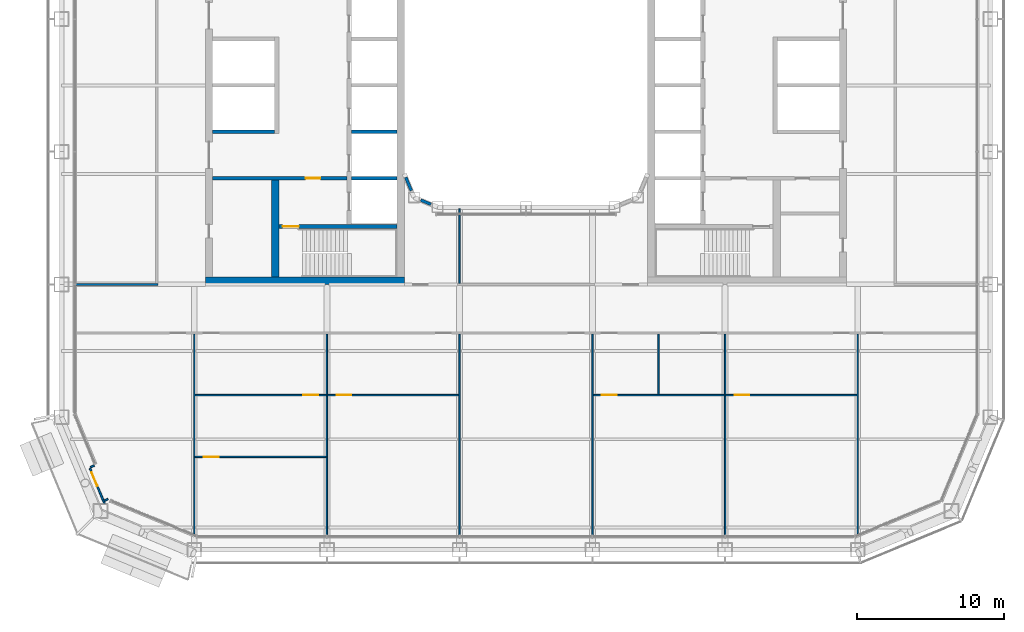
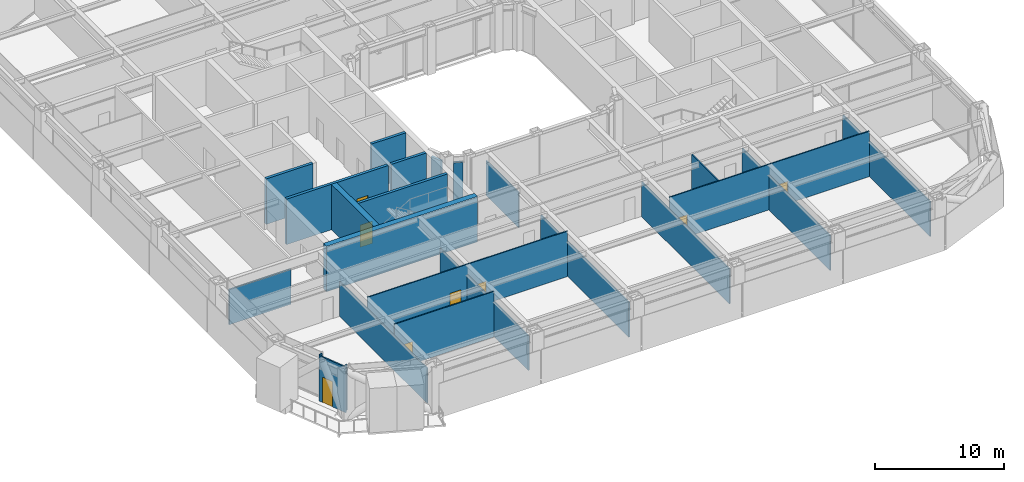
# One storey, part 13 of 27: 26 walls, 8 doors, 8 openings.
"""IFC4 building model written with IfcOpenShell, lengths in metres."""

import ifcopenshell
import ifcopenshell.guid

model = None  # the IFC model being written
_history = None  # IfcOwnerHistory: only IFC2X3 demands one
_inside = {}  # id of a spatial element -> (the spatial element, [elements in it])
_under = {}  # id of a project, library or spatial element -> (it, [spatial elements below it])
_declared = {}  # id of a project -> (the project, [libraries it declares])
_typed = {}  # id of a type object -> (the type object, [elements of that type])
_made_of = {}  # id of a material, layer set ... -> (it, [elements and type objects made of it])


def new_model(schema):
    """Start an empty IFC model of exactly this schema.

    Asked for "IFC4X3", IfcOpenShell would pick the latest addendum, in which some entities
    have other attributes; the version numbers below select the first issue.
    IFC2X3 requires an IfcOwnerHistory on every rooted entity: one is made here for all.
    """
    global model, _history
    if schema == "IFC4X3":
        model = ifcopenshell.file(schema_version=(4, 3, 0, 0))
    else:
        model = ifcopenshell.file(schema=schema)
    _inside.clear()
    _under.clear()
    _declared.clear()
    _typed.clear()
    _made_of.clear()
    _history = None
    if model.schema == "IFC2X3":
        org = make("IfcOrganization", Name="unknown")
        user = make(
            "IfcPersonAndOrganization",
            ThePerson=make("IfcPerson", FamilyName="unknown"),
            TheOrganization=org,
        )
        app = make(
            "IfcApplication",
            ApplicationDeveloper=org,
            Version="unknown",
            ApplicationFullName="unknown",
            ApplicationIdentifier="unknown",
        )
        _history = make(
            "IfcOwnerHistory",
            OwningUser=user,
            OwningApplication=app,
            ChangeAction="ADDED",
            CreationDate=0,
        )
    return model


def make(cls, **values):
    """One entity of the class cls with the attributes given. An attribute that is None is left unset."""
    return model.create_entity(
        cls, **{name: value for name, value in values.items() if value is not None}
    )


def rooted(cls, **values):
    """An entity with a GlobalId (a new one), such as an element, a storey or a relation."""
    return make(cls, GlobalId=ifcopenshell.guid.new(), OwnerHistory=_history, **values)


def si_unit(unit_type, name, prefix=None):
    """IfcSIUnit, for example si_unit("LENGTHUNIT", "METRE", prefix="MILLI")."""
    return make("IfcSIUnit", UnitType=unit_type, Prefix=prefix, Name=name)


def assignment(units):
    """IfcUnitAssignment: the units of a project."""
    return None if units is None else make("IfcUnitAssignment", Units=units)


def point(xyz):
    """IfcCartesianPoint."""
    return None if xyz is None else make("IfcCartesianPoint", Coordinates=xyz)


def direction(xyz):
    """IfcDirection."""
    return None if xyz is None else make("IfcDirection", DirectionRatios=xyz)


def frame(location, z_axis=None, x_axis=None):
    """IfcAxis2Placement3D, a coordinate frame: its origin and axes. An axis left out is left unset."""
    return make(
        "IfcAxis2Placement3D",
        Location=point(location),
        Axis=direction(z_axis),
        RefDirection=direction(x_axis),
    )


def frame_2d(location, x_axis=None):
    """IfcAxis2Placement2D, a coordinate frame in the plane: its origin and x axis."""
    return make(
        "IfcAxis2Placement2D", Location=point(location), RefDirection=direction(x_axis)
    )


def origin():
    """The frame at (0, 0, 0) with its axes left unset."""
    return frame((0.0, 0.0, 0.0))


def place(relative_to, where):
    """IfcLocalPlacement: puts the frame where relative to a parent placement (None: the world)."""
    return make(
        "IfcLocalPlacement", PlacementRelTo=relative_to, RelativePlacement=where
    )


def context(
    kind, dimensions, precision=None, world=None, true_north=None, identifier=None
):
    """IfcGeometricRepresentationContext, for example the 3D "Model" context."""
    return make(
        "IfcGeometricRepresentationContext",
        ContextIdentifier=identifier,
        ContextType=kind,
        CoordinateSpaceDimension=dimensions,
        Precision=precision,
        WorldCoordinateSystem=world,
        TrueNorth=true_north,
    )


def subcontext(parent, identifier, kind, view, scale=None):
    """IfcGeometricRepresentationSubContext, for example "Body" below "Model"."""
    return make(
        "IfcGeometricRepresentationSubContext",
        ContextIdentifier=identifier,
        ContextType=kind,
        ParentContext=parent,
        TargetScale=scale,
        TargetView=view,
    )


def project(units=None, contexts=None):
    """IfcProject with its units and contexts."""
    return rooted(
        "IfcProject",
        Name="project",
        RepresentationContexts=contexts,
        UnitsInContext=assignment(units),
    )


def spatial(cls, under=None, at=None, **own):
    """A site, building, storey or space (cls), placed at a placement, below another one or the project."""
    s = rooted(cls, ObjectPlacement=at, **own)
    if under is not None:
        _under.setdefault(under.id(), (under, []))[1].append(s)
    return s


def profile(cls, at=None, kind="AREA", **sizes):
    """A parametric profile (cls). Its sizes go by their IFC names, for example OverallWidth=200.0."""
    return make(cls, ProfileType=kind, Position=at, **sizes)


def rectangle(**sizes):
    """IfcRectangleProfileDef."""
    return profile("IfcRectangleProfileDef", **sizes)


def extrude(swept, where, along, depth):
    """IfcExtrudedAreaSolid: the profile swept, set in the frame where, extruded along a direction by depth."""
    return make(
        "IfcExtrudedAreaSolid",
        SweptArea=swept,
        Position=where,
        ExtrudedDirection=direction(along),
        Depth=depth,
    )


def shape(context_of_items, identifier, shape_type, items):
    """IfcShapeRepresentation: the items that make up one representation, for example the "Body"."""
    return make(
        "IfcShapeRepresentation",
        ContextOfItems=context_of_items,
        RepresentationIdentifier=identifier,
        RepresentationType=shape_type,
        Items=items,
    )


def material(Name=None, Category=None):
    """IfcMaterial."""
    return make("IfcMaterial", Name=Name, Category=Category)


def layer(
    of_material, thickness, ventilated=None, Name=None, Category=None, Priority=None
):
    """IfcMaterialLayer: one layer of a wall or slab, of a material (None: an air gap)."""
    return make(
        "IfcMaterialLayer",
        Material=of_material,
        LayerThickness=thickness,
        IsVentilated=ventilated,
        Name=Name,
        Category=Category,
        Priority=Priority,
    )


def layer_set(layers, Name=None):
    """IfcMaterialLayerSet."""
    return make("IfcMaterialLayerSet", MaterialLayers=layers, LayerSetName=Name)


def made_of(thing, what):
    """Note that an element or type object is made of a material, layer set ...; save() writes the relation."""
    if what is not None:
        _made_of.setdefault(what.id(), (what, []))[1].append(thing)
    return thing


def type_object(cls, material=None, **own):
    """A type object (cls), such as IfcWallType, which elements share."""
    return made_of(rooted(cls, **own), material)


def element(
    cls,
    number,
    at=None,
    inside=None,
    cuts=None,
    type_object=None,
    material=None,
    context=None,
    identifier="Body",
    shape_type=None,
    held_by="IfcProductDefinitionShape",
    body=None,
    shapes=None,
    **own,
):
    """One element of the class cls, such as IfcWall. Its Tag is "e" and its number.

    at: its placement. inside: the storey or other place that contains it. cuts: it is an
    opening in that element (IfcRelVoidsElement). A single representation is given by context,
    identifier, shape_type and body (its items); several are given by shapes. held_by: the class
    of the entity that holds the representations. save() writes the other relations.
    """
    e = rooted(cls, Tag="e%d" % number, ObjectPlacement=at, **own)
    if body is not None:
        shapes = [shape(context, identifier, shape_type, body)]
    if shapes is not None:
        e.Representation = make(held_by, Representations=shapes)
    if inside is not None:
        _inside.setdefault(inside.id(), (inside, []))[1].append(e)
    if cuts is not None:
        rooted(
            "IfcRelVoidsElement", RelatingBuildingElement=cuts, RelatedOpeningElement=e
        )
    if type_object is not None:
        _typed.setdefault(type_object.id(), (type_object, []))[1].append(e)
    return made_of(e, material)


def fill(opening, filler):
    """IfcRelFillsElement: the door or window that sits in an opening."""
    return rooted(
        "IfcRelFillsElement",
        RelatingOpeningElement=opening,
        RelatedBuildingElement=filler,
    )


def aggregate(whole, parts):
    """IfcRelAggregates: a whole, such as a stair, and the parts it consists of."""
    return rooted("IfcRelAggregates", RelatingObject=whole, RelatedObjects=parts)


def save(model, path):
    """Write the relations noted so far, then the file.

    IfcRelAggregates (storeys below a building ...), IfcRelContainedInSpatialStructure (elements
    in a storey), IfcRelDefinesByType, IfcRelAssociatesMaterial and IfcRelDeclares: one each for
    every whole, place, type object, material and project.
    """
    for whole, parts in _under.values():
        aggregate(whole, parts)
    for where, things in _inside.values():
        rooted(
            "IfcRelContainedInSpatialStructure",
            RelatedElements=things,
            RelatingStructure=where,
        )
    for kind, things in _typed.values():
        rooted("IfcRelDefinesByType", RelatedObjects=things, RelatingType=kind)
    for what, things in _made_of.values():
        rooted("IfcRelAssociatesMaterial", RelatedObjects=things, RelatingMaterial=what)
    for by, libraries in _declared.values():
        rooted("IfcRelDeclares", RelatingContext=by, RelatedDefinitions=libraries)
    model.write(path)


model = new_model("IFC4")

# Units and contexts
model_context = context("Model", 3, precision=1e-05, world=origin(), true_north=direction((0.0, 1.0)))
body_context = subcontext(model_context, "Body", "Model", "MODEL_VIEW")
ifc_project = project(units=[si_unit("LENGTHUNIT", "METRE"), si_unit("AREAUNIT", "SQUARE_METRE"), si_unit("VOLUMEUNIT", "CUBIC_METRE"), si_unit("PLANEANGLEUNIT", "RADIAN"), si_unit("MASSUNIT", "GRAM", prefix="KILO")], contexts=[model_context])

# Site, building, storey
site_placement = place(None, origin())
site = spatial("IfcSite", under=ifc_project, at=site_placement, CompositionType="ELEMENT")
building_placement = place(site_placement, origin())
building = spatial("IfcBuilding", under=site, at=building_placement, Name="Siwar Civic Tower", CompositionType="ELEMENT")
storey_placement = place(building_placement, frame((0.0, 0.0, 89.699951171875)))
storey = spatial("IfcBuildingStorey", under=building, at=storey_placement, Name="L19", CompositionType="ELEMENT", Elevation=89.699951171875)

# Wall, opening, door
ifc_material_1 = material(Name="Concrete C60/75", Category="concrete")
ifc_layer_1 = layer(ifc_material_1, 0.25)
ifc_layer_set_1 = layer_set([ifc_layer_1], Name="Concrete C60/75")
wall_type_1 = type_object("IfcWallType", Name="CORE-WALL-RC250", PredefinedType="SHEAR", material=ifc_layer_set_1)
wall_1_placement = place(storey_placement, frame((-12.14990234375, -6.300048828125, 0.0), z_axis=(0.0, 0.0, 1.0), x_axis=(-1.0, 0.0, 0.0)))
wall_1 = element("IfcWall", 1, at=wall_1_placement, inside=storey, type_object=wall_type_1, Name="Core wall W", PredefinedType="SHEAR", context=body_context, shape_type="SweptSolid", body=[
    extrude(rectangle(XDim=9.10009765625, YDim=0.25, at=frame_2d((4.550048828125, 0.0))), origin(), (0.0, 0.0, 1.0), 4.300048828125),
])
opening_1_placement = place(wall_1_placement, frame((1.800048828125, 0.0, 0.0)))
opening_1 = element("IfcOpeningElement", 2, at=opening_1_placement, cuts=wall_1, Name="Opening L19-CW02", PredefinedType="OPENING", context=body_context, shape_type="SweptSolid", body=[
    extrude(rectangle(XDim=1.0, YDim=2.10009765625, at=frame_2d((0.5, 1.050048828125))), frame((0.0, 0.135009765625, 0.0), z_axis=(0.0, -1.0, 0.0), x_axis=(1.0, 0.0, 0.0)), (0.0, 0.0, 1.0), 0.27001953125),
])
ifc_material_2 = material(Name="Steel door leaf", Category="steel")
door_type_1 = type_object("IfcDoorType", Name="CORE-DOOR-FD30S", OperationType="SINGLE_SWING_LEFT", PredefinedType="DOOR", material=ifc_material_2)
door_1_placement = place(opening_1_placement, origin())
door_1 = element("IfcDoor", 3, at=door_1_placement, inside=storey, type_object=door_type_1, Name="Service lobby door L19-CW02", OperationType="SINGLE_SWING_RIGHT", OverallHeight=2.10009765625, OverallWidth=1.0, PredefinedType="DOOR", context=body_context, shape_type="SweptSolid", body=[
    extrude(rectangle(XDim=1.0, YDim=2.10009765625, at=frame_2d((0.5, 1.050048828125))), frame((0.0, 0.02490234375, 0.0), z_axis=(0.0, -1.0, 0.0), x_axis=(1.0, 0.0, 0.0)), (0.0, 0.0, 1.0), 0.050048828125),
])
fill(opening_1, door_1)

# Walls
wall_2_placement = place(storey_placement, frame((-17.050048828125, -3.14990234375, 0.0), z_axis=(0.0, 0.0, 1.0), x_axis=(-1.0, 0.0, 0.0)))
element("IfcWall", 4, at=wall_2_placement, inside=storey, type_object=wall_type_1, Name="Core wall W", PredefinedType="SHEAR", context=body_context, shape_type="SweptSolid", body=[
    extrude(rectangle(XDim=4.199951171875, YDim=0.25, at=frame_2d((2.10009765625, 0.0))), origin(), (0.0, 0.0, 1.0), 4.300048828125),
])
for number, where, z_axis, x_axis, name in (
    (5, (-8.75, -3.14990234375, 0.0), (0.0, 0.0, 1.0), (-1.0, 0.0, 0.0), "Core wall W"),
    (6, (-8.75, -6.300048828125, 0.0), (0.0, 0.0, 1.0), (-1.0, 0.0, 0.0), "Core wall W"),
):
    element("IfcWall", number, at=place(storey_placement, frame(where, z_axis=z_axis, x_axis=x_axis)), inside=storey, type_object=wall_type_1, Name=name, PredefinedType="SHEAR", context=body_context, shape_type="SweptSolid", body=[
        extrude(rectangle(XDim=3.10009765625, YDim=0.25, at=frame_2d((1.550048828125, 0.0))), origin(), (0.0, 0.0, 1.0), 4.300048828125),
    ])

# Wall, opening, door
wall_3_placement = place(storey_placement, frame((-8.75, -9.574951171875, 0.0), z_axis=(0.0, 0.0, 1.0), x_axis=(-1.0, 0.0, 0.0)))
wall_3 = element("IfcWall", 7, at=wall_3_placement, inside=storey, type_object=wall_type_1, Name="Core wall W", PredefinedType="SHEAR", context=body_context, shape_type="SweptSolid", body=[
    extrude(rectangle(XDim=8.0, YDim=0.25, at=frame_2d((4.0, 0.0))), origin(), (0.0, 0.0, 1.0), 4.300048828125),
])
opening_2_placement = place(wall_3_placement, frame((6.64990234375, 0.0, 0.0)))
opening_2 = element("IfcOpeningElement", 8, at=opening_2_placement, cuts=wall_3, Name="Opening L19-CW04", PredefinedType="OPENING", context=body_context, shape_type="SweptSolid", body=[
    extrude(rectangle(XDim=1.10009765625, YDim=2.10009765625, at=frame_2d((0.550048828125, 1.050048828125))), frame((0.0, 0.135009765625, 0.0), z_axis=(0.0, -1.0, 0.0), x_axis=(1.0, 0.0, 0.0)), (0.0, 0.0, 1.0), 0.27001953125),
])
ifc_material_3 = material(Name="Steel door leaf", Category="steel")
door_type_2 = type_object("IfcDoorType", Name="CORE-DOOR-FD60S", OperationType="SINGLE_SWING_LEFT", PredefinedType="DOOR", material=ifc_material_3)
door_2_placement = place(opening_2_placement, origin())
door_2 = element("IfcDoor", 9, at=door_2_placement, inside=storey, type_object=door_type_2, Name="Stair door L19-CW04", OperationType="SINGLE_SWING_LEFT", OverallHeight=2.10009765625, OverallWidth=1.10009765625, PredefinedType="DOOR", context=body_context, shape_type="SweptSolid", body=[
    extrude(rectangle(XDim=1.10009765625, YDim=2.10009765625, at=frame_2d((0.550048828125, 1.050048828125))), frame((0.0, 0.02490234375, 0.0), z_axis=(0.0, -1.0, 0.0), x_axis=(1.0, 0.0, 0.0)), (0.0, 0.0, 1.0), 0.050048828125),
])
fill(opening_2, door_2)

# Walls
ifc_material_4 = material(Name="Concrete C60/75", Category="concrete")
ifc_layer_2 = layer(ifc_material_4, 0.5)
ifc_layer_set_2 = layer_set([ifc_layer_2], Name="Concrete C60/75")
wall_type_2 = type_object("IfcWallType", Name="CORE-WALL-RC500", PredefinedType="SHEAR", material=ifc_layer_set_2)
wall_4_placement = place(storey_placement, frame((-17.0, -13.0, 0.0), z_axis=(0.0, 0.0, 1.0), x_axis=(0.0, 1.0, 0.0)))
element("IfcWall", 10, at=wall_4_placement, inside=storey, type_object=wall_type_2, Name="Core wall W", PredefinedType="SHEAR", context=body_context, shape_type="SweptSolid", body=[
    extrude(rectangle(XDim=6.574951171875, YDim=0.5, at=frame_2d((3.28759765625, 0.0))), origin(), (0.0, 0.0, 1.0), 4.300048828125),
])
wall_5_placement = place(storey_placement, frame((-8.25, -13.25, 0.0), z_axis=(0.0, 0.0, 1.0), x_axis=(-1.0, 0.0, 0.0)))
element("IfcWall", 11, at=wall_5_placement, inside=storey, type_object=wall_type_2, Name="Core wall W", PredefinedType="SHEAR", context=body_context, shape_type="SweptSolid", body=[
    extrude(rectangle(XDim=13.5, YDim=0.5, at=frame_2d((6.75, 0.0))), origin(), (0.0, 0.0, 1.0), 4.300048828125),
])
ifc_material_5 = material(Name="Gypsum board on steel studs", Category="steel")
ifc_layer_3 = layer(ifc_material_5, 0.14990234375)
ifc_layer_set_3 = layer_set([ifc_layer_3], Name="Gypsum board on steel studs")
wall_type_3 = type_object("IfcWallType", Name="CORRIDOR PARTITION 150 EI 30", PredefinedType="PARTITIONING", material=ifc_layer_set_3)
wall_6_placement = place(storey_placement, frame((-30.510009765625, -13.5, 0.0), z_axis=(0.0, 0.0, 1.0), x_axis=(1.0, 0.0, 0.0)))
element("IfcWall", 12, at=wall_6_placement, inside=storey, type_object=wall_type_3, Name="L19/wall/P05", PredefinedType="PARTITIONING", context=body_context, shape_type="SweptSolid", body=[
    extrude(rectangle(XDim=5.534912109375, YDim=0.14990234375, at=frame_2d((2.767578125, 0.0))), origin(), (0.0, 0.0, 1.0), 3.300048828125),
])
ifc_material_6 = material(Name="Aluminium clad insulated panel", Category="aluminium")
ifc_layer_4 = layer(ifc_material_6, 0.1201171875)
ifc_layer_set_4 = layer_set([ifc_layer_4], Name="Aluminium clad insulated panel")
wall_type_4 = type_object("IfcWallType", Name="ENV-WALL-BAL", PredefinedType="STANDARD", material=ifc_layer_set_4)
wall_7_placement = place(storey_placement, frame((-29.284912109375, -25.783447265625, 0.0), z_axis=(0.0, 0.0, 1.0), x_axis=(-0.923772220778, -0.382942403136, 0.0)))
element("IfcWall", 13, at=wall_7_placement, inside=storey, type_object=wall_type_4, Name="Balcony door wall return SW1", PredefinedType="STANDARD", context=body_context, shape_type="SweptSolid", body=[
    extrude(rectangle(XDim=0.27978515625, YDim=0.1201171875, at=frame_2d((0.139892578125, 0.0))), origin(), (0.0, 0.0, 1.0), 4.300048828125),
])
wall_8_placement = place(storey_placement, frame((-28.3427734375, -28.057861328125, 0.0), z_axis=(0.0, 0.0, 1.0), x_axis=(-0.923899985553, -0.382634050621, 0.0)))
element("IfcWall", 14, at=wall_8_placement, inside=storey, type_object=wall_type_4, Name="Balcony door wall return SW1", PredefinedType="STANDARD", context=body_context, shape_type="SweptSolid", body=[
    extrude(rectangle(XDim=0.280029296875, YDim=0.1201171875, at=frame_2d((0.14013671875, 0.0))), origin(), (0.0, 0.0, 1.0), 4.300048828125),
])

# Wall, opening, door
wall_9_placement = place(storey_placement, frame((-29.575927734375, -25.968994140625, 0.0), z_axis=(0.0, 0.0, 1.0), x_axis=(0.382648460137, -0.923894017707, 0.0)))
wall_9 = element("IfcWall", 15, at=wall_9_placement, inside=storey, type_object=wall_type_4, Name="Balcony door wall SW1", PredefinedType="STANDARD", context=body_context, shape_type="SweptSolid", body=[
    extrude(rectangle(XDim=2.59228515625, YDim=0.1201171875, at=frame_2d((1.296142578125, 0.0))), origin(), (0.0, 0.0, 1.0), 4.300048828125),
])
opening_3_placement = place(wall_9_placement, frame((0.300048828125, 0.0, 0.0)))
opening_3 = element("IfcOpeningElement", 16, at=opening_3_placement, cuts=wall_9, Name="Opening D-BAL", PredefinedType="OPENING", context=body_context, shape_type="SweptSolid", body=[
    extrude(rectangle(XDim=1.0, YDim=2.39990234375, at=frame_2d((0.5, 1.199951171875))), frame((0.0, 0.070068359375, 0.0), z_axis=(0.0, -1.0, 0.0), x_axis=(1.0, 0.0, 0.0)), (0.0, 0.0, 1.0), 0.14013671875),
])
ifc_material_7 = material(Name="Aluminium and glass", Category="aluminium")
door_type_3 = type_object("IfcDoorType", Name="ENV-DOOR-BAL", OperationType="SINGLE_SWING_LEFT", PredefinedType="DOOR", material=ifc_material_7)
door_3_placement = place(opening_3_placement, origin())
door_3 = element("IfcDoor", 17, at=door_3_placement, inside=storey, type_object=door_type_3, Name="Balcony door SW", OperationType="SINGLE_SWING_LEFT", OverallHeight=2.39990234375, OverallWidth=1.0, PredefinedType="DOOR", context=body_context, shape_type="SweptSolid", body=[
    extrude(rectangle(XDim=1.0, YDim=2.39990234375, at=frame_2d((0.5, 1.199951171875))), frame((0.0, 0.02490234375, 0.0), z_axis=(0.0, -1.0, 0.0), x_axis=(1.0, 0.0, 0.0)), (0.0, 0.0, 1.0), 0.050048828125),
])
fill(opening_3, door_3)

# Walls
ifc_material_8 = material(Name="Aluminium clad insulated panel", Category="aluminium")
ifc_layer_5 = layer(ifc_material_8, 0.199951171875)
ifc_layer_set_5 = layer_set([ifc_layer_5], Name="Aluminium clad insulated panel")
wall_type_5 = type_object("IfcWallType", Name="ENV-WALL-WELL", PredefinedType="STANDARD", material=ifc_layer_set_5)
wall_10_placement = place(storey_placement, frame((-8.154296875, -6.23095703125, 0.0), z_axis=(0.0, 0.0, 1.0), x_axis=(0.382549378284, -0.923935048136, 0.0)))
element("IfcWall", 18, at=wall_10_placement, inside=storey, type_object=wall_type_5, Name="Light well corner wall SW1", PredefinedType="STANDARD", context=body_context, shape_type="SweptSolid", body=[
    extrude(rectangle(XDim=0.982177734375, YDim=0.199951171875, at=frame_2d((0.4912109375, 0.0))), origin(), (0.0, 0.0, 1.0), 3.679931640625),
])
wall_11_placement = place(storey_placement, frame((-7.138427734375, -7.778564453125, 0.0), z_axis=(0.0, 0.0, 1.0), x_axis=(0.923940677943, -0.382535780864, 0.0)))
element("IfcWall", 19, at=wall_11_placement, inside=storey, type_object=wall_type_5, Name="Light well corner wall SW2", PredefinedType="STANDARD", context=body_context, shape_type="SweptSolid", body=[
    extrude(rectangle(XDim=0.7421875, YDim=0.199951171875, at=frame_2d((0.37109375, 0.0))), origin(), (0.0, 0.0, 1.0), 3.679931640625),
])

# Wall, opening, door
ifc_material_9 = material(Name="Gypsum board on steel studs", Category="steel")
ifc_layer_6 = layer(ifc_material_9, 0.10009765625)
ifc_layer_set_6 = layer_set([ifc_layer_6], Name="Gypsum board on steel studs")
wall_type_6 = type_object("IfcWallType", Name="PARTITION 100 GYPSUM", PredefinedType="PARTITIONING", material=ifc_layer_set_6)
wall_12_placement = place(storey_placement, frame((-22.449951171875, -25.199951171875, 0.0), z_axis=(0.0, 0.0, 1.0), x_axis=(1.0, 0.0, 0.0)))
wall_12 = element("IfcWall", 20, at=wall_12_placement, inside=storey, type_object=wall_type_6, Name="L19/wall/P01", PredefinedType="PARTITIONING", context=body_context, shape_type="SweptSolid", body=[
    extrude(rectangle(XDim=8.89990234375, YDim=0.10009765625, at=frame_2d((4.449951171875, 0.0))), origin(), (0.0, 0.0, 1.0), 4.300048828125),
])
opening_4_placement = place(wall_12_placement, frame((0.60009765625, 0.0, 0.0)))
opening_4 = element("IfcOpeningElement", 21, at=opening_4_placement, cuts=wall_12, Name="Opening D2", PredefinedType="OPENING", context=body_context, shape_type="SweptSolid", body=[
    extrude(rectangle(XDim=1.0, YDim=2.10009765625, at=frame_2d((0.5, 1.050048828125))), frame((0.0, 0.06005859375, 0.0), z_axis=(0.0, -1.0, 0.0), x_axis=(1.0, 0.0, 0.0)), (0.0, 0.0, 1.0), 0.1201171875),
])
ifc_material_10 = material(Name="Timber, painted", Category="wood")
door_type_4 = type_object("IfcDoorType", Name="DOOR 1000 X 2100", OperationType="SINGLE_SWING_LEFT", PredefinedType="DOOR", material=ifc_material_10)
door_4_placement = place(opening_4_placement, origin())
door_4 = element("IfcDoor", 22, at=door_4_placement, inside=storey, type_object=door_type_4, Name="L19-D11", OperationType="SINGLE_SWING_LEFT", OverallHeight=2.10009765625, OverallWidth=1.0, PredefinedType="DOOR", context=body_context, shape_type="SweptSolid", body=[
    extrude(rectangle(XDim=1.0, YDim=2.10009765625, at=frame_2d((0.5, 1.050048828125))), frame((0.0, 0.02490234375, 0.0), z_axis=(0.0, -1.0, 0.0), x_axis=(1.0, 0.0, 0.0)), (0.0, 0.0, 1.0), 0.050048828125),
])
fill(opening_4, door_4)

# Wall, openings, doors
wall_13_placement = place(storey_placement, frame((-22.449951171875, -21.0, 0.0), z_axis=(0.0, 0.0, 1.0), x_axis=(1.0, 0.0, 0.0)))
wall_13 = element("IfcWall", 23, at=wall_13_placement, inside=storey, type_object=wall_type_6, Name="L19/wall/P02", PredefinedType="PARTITIONING", context=body_context, shape_type="SweptSolid", body=[
    extrude(rectangle(XDim=17.89990234375, YDim=0.10009765625, at=frame_2d((8.949951171875, 0.0))), origin(), (0.0, 0.0, 1.0), 4.300048828125),
])
opening_5_placement = place(wall_13_placement, frame((7.35009765625, 0.0, 0.0)))
opening_5 = element("IfcOpeningElement", 24, at=opening_5_placement, cuts=wall_13, Name="Opening D2", PredefinedType="OPENING", context=body_context, shape_type="SweptSolid", body=[
    extrude(rectangle(XDim=1.0, YDim=2.10009765625, at=frame_2d((0.5, 1.050048828125))), frame((0.0, 0.06005859375, 0.0), z_axis=(0.0, -1.0, 0.0), x_axis=(1.0, 0.0, 0.0)), (0.0, 0.0, 1.0), 0.1201171875),
])
opening_6_placement = place(wall_13_placement, frame((9.60009765625, 0.0, 0.0)))
opening_6 = element("IfcOpeningElement", 25, at=opening_6_placement, cuts=wall_13, Name="Opening D2", PredefinedType="OPENING", context=body_context, shape_type="SweptSolid", body=[
    extrude(rectangle(XDim=1.0, YDim=2.10009765625, at=frame_2d((0.5, 1.050048828125))), frame((0.0, 0.06005859375, 0.0), z_axis=(0.0, -1.0, 0.0), x_axis=(1.0, 0.0, 0.0)), (0.0, 0.0, 1.0), 0.1201171875),
])
door_5_placement = place(opening_5_placement, origin())
door_5 = element("IfcDoor", 26, at=door_5_placement, inside=storey, type_object=door_type_4, Name="L19-D10", OperationType="SINGLE_SWING_RIGHT", OverallHeight=2.10009765625, OverallWidth=1.0, PredefinedType="DOOR", context=body_context, shape_type="SweptSolid", body=[
    extrude(rectangle(XDim=1.0, YDim=2.10009765625, at=frame_2d((0.5, 1.050048828125))), frame((0.0, 0.02490234375, 0.0), z_axis=(0.0, -1.0, 0.0), x_axis=(1.0, 0.0, 0.0)), (0.0, 0.0, 1.0), 0.050048828125),
])
fill(opening_5, door_5)
door_6_placement = place(opening_6_placement, origin())
door_6 = element("IfcDoor", 27, at=door_6_placement, inside=storey, type_object=door_type_4, Name="L19-D13", OperationType="SINGLE_SWING_LEFT", OverallHeight=2.10009765625, OverallWidth=1.0, PredefinedType="DOOR", context=body_context, shape_type="SweptSolid", body=[
    extrude(rectangle(XDim=1.0, YDim=2.10009765625, at=frame_2d((0.5, 1.050048828125))), frame((0.0, 0.02490234375, 0.0), z_axis=(0.0, -1.0, 0.0), x_axis=(1.0, 0.0, 0.0)), (0.0, 0.0, 1.0), 0.050048828125),
])
fill(opening_6, door_6)

wall_14_placement = place(storey_placement, frame((4.550048828125, -21.0, 0.0), z_axis=(0.0, 0.0, 1.0), x_axis=(1.0, 0.0, 0.0)))
wall_14 = element("IfcWall", 28, at=wall_14_placement, inside=storey, type_object=wall_type_6, Name="L19/wall/P03", PredefinedType="PARTITIONING", context=body_context, shape_type="SweptSolid", body=[
    extrude(rectangle(XDim=17.89990234375, YDim=0.10009765625, at=frame_2d((8.949951171875, 0.0))), origin(), (0.0, 0.0, 1.0), 4.300048828125),
])
opening_7_placement = place(wall_14_placement, frame((0.60009765625, 0.0, 0.0)))
opening_7 = element("IfcOpeningElement", 29, at=opening_7_placement, cuts=wall_14, Name="Opening D2", PredefinedType="OPENING", context=body_context, shape_type="SweptSolid", body=[
    extrude(rectangle(XDim=1.0, YDim=2.10009765625, at=frame_2d((0.5, 1.050048828125))), frame((0.0, 0.06005859375, 0.0), z_axis=(0.0, -1.0, 0.0), x_axis=(1.0, 0.0, 0.0)), (0.0, 0.0, 1.0), 0.1201171875),
])
opening_8_placement = place(wall_14_placement, frame((9.60009765625, 0.0, 0.0)))
opening_8 = element("IfcOpeningElement", 30, at=opening_8_placement, cuts=wall_14, Name="Opening D2", PredefinedType="OPENING", context=body_context, shape_type="SweptSolid", body=[
    extrude(rectangle(XDim=1.0, YDim=2.10009765625, at=frame_2d((0.5, 1.050048828125))), frame((0.0, 0.06005859375, 0.0), z_axis=(0.0, -1.0, 0.0), x_axis=(1.0, 0.0, 0.0)), (0.0, 0.0, 1.0), 0.1201171875),
])
door_7_placement = place(opening_7_placement, origin())
door_7 = element("IfcDoor", 31, at=door_7_placement, inside=storey, type_object=door_type_4, Name="L19-D17", OperationType="SINGLE_SWING_LEFT", OverallHeight=2.10009765625, OverallWidth=1.0, PredefinedType="DOOR", context=body_context, shape_type="SweptSolid", body=[
    extrude(rectangle(XDim=1.0, YDim=2.10009765625, at=frame_2d((0.5, 1.050048828125))), frame((0.0, 0.02490234375, 0.0), z_axis=(0.0, -1.0, 0.0), x_axis=(1.0, 0.0, 0.0)), (0.0, 0.0, 1.0), 0.050048828125),
])
fill(opening_7, door_7)
door_8_placement = place(opening_8_placement, origin())
door_8 = element("IfcDoor", 32, at=door_8_placement, inside=storey, type_object=door_type_4, Name="L19-D19", OperationType="SINGLE_SWING_LEFT", OverallHeight=2.10009765625, OverallWidth=1.0, PredefinedType="DOOR", context=body_context, shape_type="SweptSolid", body=[
    extrude(rectangle(XDim=1.0, YDim=2.10009765625, at=frame_2d((0.5, 1.050048828125))), frame((0.0, 0.02490234375, 0.0), z_axis=(0.0, -1.0, 0.0), x_axis=(1.0, 0.0, 0.0)), (0.0, 0.0, 1.0), 0.050048828125),
])
fill(opening_8, door_8)

# Walls
wall_15_placement = place(storey_placement, frame((-22.5, -30.427978515625, 0.0), z_axis=(0.0, 0.0, 1.0), x_axis=(0.0, 1.0, 0.0)))
element("IfcWall", 33, at=wall_15_placement, inside=storey, type_object=wall_type_6, Name="L19/wall/P19", PredefinedType="PARTITIONING", context=body_context, shape_type="SweptSolid", body=[
    extrude(rectangle(XDim=13.552978515625, YDim=0.10009765625, at=frame_2d((6.7763671875, 0.0))), origin(), (0.0, 0.0, 1.0), 3.300048828125),
])
wall_16_placement = place(storey_placement, frame((-13.5, -30.510009765625, 0.0), z_axis=(0.0, 0.0, 1.0), x_axis=(0.0, 1.0, 0.0)))
element("IfcWall", 34, at=wall_16_placement, inside=storey, type_object=wall_type_6, Name="L19/wall/P21", PredefinedType="PARTITIONING", context=body_context, shape_type="SweptSolid", body=[
    extrude(rectangle(XDim=9.4599609375, YDim=0.10009765625, at=frame_2d((4.72998046875, 0.0))), origin(), (0.0, 0.0, 1.0), 3.300048828125),
])
wall_17_placement = place(storey_placement, frame((-13.5, -20.949951171875, 0.0), z_axis=(0.0, 0.0, 1.0), x_axis=(0.0, 1.0, 0.0)))
element("IfcWall", 35, at=wall_17_placement, inside=storey, type_object=wall_type_6, Name="L19/wall/P22", PredefinedType="PARTITIONING", context=body_context, shape_type="SweptSolid", body=[
    extrude(rectangle(XDim=4.074951171875, YDim=0.10009765625, at=frame_2d((2.03759765625, 0.0))), origin(), (0.0, 0.0, 1.0), 3.300048828125),
])
wall_18_placement = place(storey_placement, frame((-4.5, -30.510009765625, 0.0), z_axis=(0.0, 0.0, 1.0), x_axis=(0.0, 1.0, 0.0)))
element("IfcWall", 36, at=wall_18_placement, inside=storey, type_object=wall_type_6, Name="L19/wall/P24", PredefinedType="PARTITIONING", context=body_context, shape_type="SweptSolid", body=[
    extrude(rectangle(XDim=13.635009765625, YDim=0.10009765625, at=frame_2d((6.8173828125, 0.0))), origin(), (0.0, 0.0, 1.0), 3.300048828125),
])
wall_19_placement = place(storey_placement, frame((-4.5, -13.425048828125, 0.0), z_axis=(0.0, 0.0, 1.0), x_axis=(0.0, 1.0, 0.0)))
element("IfcWall", 37, at=wall_19_placement, inside=storey, type_object=wall_type_6, Name="L19/wall/P25", PredefinedType="PARTITIONING", context=body_context, shape_type="SweptSolid", body=[
    extrude(rectangle(XDim=5.054931640625, YDim=0.10009765625, at=frame_2d((2.52734375, 0.0))), origin(), (0.0, 0.0, 1.0), 3.300048828125),
])
wall_20_placement = place(storey_placement, frame((4.5, -30.510009765625, 0.0), z_axis=(0.0, 0.0, 1.0), x_axis=(0.0, 1.0, 0.0)))
element("IfcWall", 38, at=wall_20_placement, inside=storey, type_object=wall_type_6, Name="L19/wall/P29", PredefinedType="PARTITIONING", context=body_context, shape_type="SweptSolid", body=[
    extrude(rectangle(XDim=13.635009765625, YDim=0.10009765625, at=frame_2d((6.8173828125, 0.0))), origin(), (0.0, 0.0, 1.0), 3.300048828125),
])
wall_21_placement = place(storey_placement, frame((9.0, -20.949951171875, 0.0), z_axis=(0.0, 0.0, 1.0), x_axis=(0.0, 1.0, 0.0)))
element("IfcWall", 39, at=wall_21_placement, inside=storey, type_object=wall_type_6, Name="L19/wall/P32", PredefinedType="PARTITIONING", context=body_context, shape_type="SweptSolid", body=[
    extrude(rectangle(XDim=4.074951171875, YDim=0.10009765625, at=frame_2d((2.03759765625, 0.0))), origin(), (0.0, 0.0, 1.0), 4.300048828125),
])
wall_22_placement = place(storey_placement, frame((13.5, -30.510009765625, 0.0), z_axis=(0.0, 0.0, 1.0), x_axis=(0.0, 1.0, 0.0)))
element("IfcWall", 40, at=wall_22_placement, inside=storey, type_object=wall_type_6, Name="L19/wall/P33", PredefinedType="PARTITIONING", context=body_context, shape_type="SweptSolid", body=[
    extrude(rectangle(XDim=9.4599609375, YDim=0.10009765625, at=frame_2d((4.72998046875, 0.0))), origin(), (0.0, 0.0, 1.0), 3.300048828125),
])
wall_23_placement = place(storey_placement, frame((13.5, -20.949951171875, 0.0), z_axis=(0.0, 0.0, 1.0), x_axis=(0.0, 1.0, 0.0)))
element("IfcWall", 41, at=wall_23_placement, inside=storey, type_object=wall_type_6, Name="L19/wall/P34", PredefinedType="PARTITIONING", context=body_context, shape_type="SweptSolid", body=[
    extrude(rectangle(XDim=4.074951171875, YDim=0.10009765625, at=frame_2d((2.03759765625, 0.0))), origin(), (0.0, 0.0, 1.0), 3.300048828125),
])
wall_24_placement = place(storey_placement, frame((22.5, -30.427978515625, 0.0), z_axis=(0.0, 0.0, 1.0), x_axis=(0.0, 1.0, 0.0)))
element("IfcWall", 42, at=wall_24_placement, inside=storey, type_object=wall_type_6, Name="L19/wall/P36", PredefinedType="PARTITIONING", context=body_context, shape_type="SweptSolid", body=[
    extrude(rectangle(XDim=13.552978515625, YDim=0.10009765625, at=frame_2d((6.7763671875, 0.0))), origin(), (0.0, 0.0, 1.0), 3.300048828125),
])

save(model, "model.ifc")
